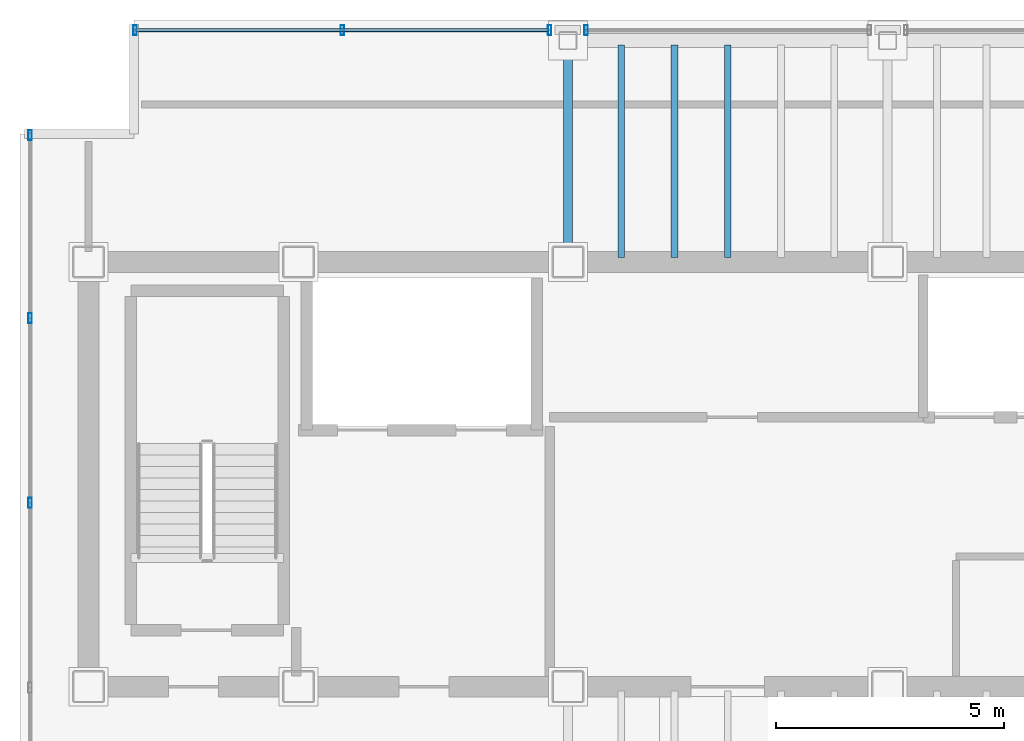
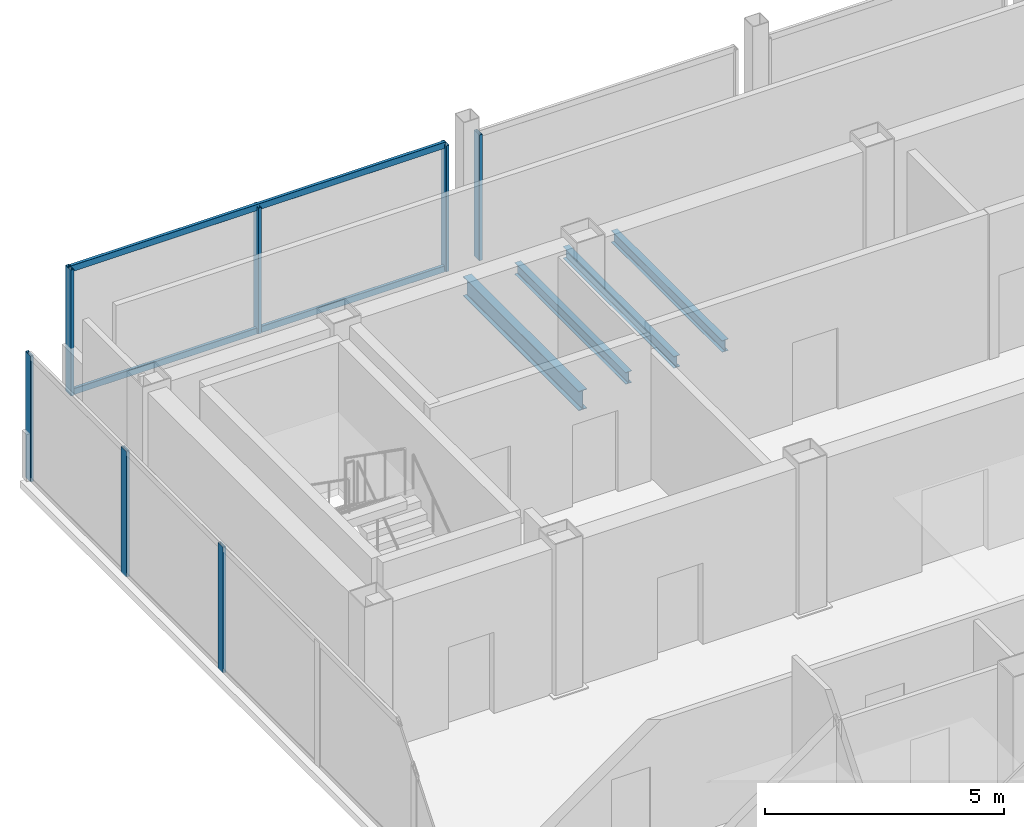
# One storey, part 9 of 17: 9 members, 4 beams, 3 elements without a shape of their own.
"""IFC4 building model written with IfcOpenShell, lengths in metres."""

from ifc_helpers import new_model, si_unit, direction, frame, origin, origin_2d, place, context, subcontext, project, spatial, hollow_rectangle, i_section, extrude, material, material_profile, profile_set, type_object, element, aggregate, save


model = new_model("IFC4")

# Units and contexts
model_context = context("Model", 3, precision=1e-05, world=origin(), true_north=direction((0.0, 1.0)))
body_context = subcontext(model_context, "Body", "Model", "MODEL_VIEW")
ifc_project = project(units=[si_unit("LENGTHUNIT", "METRE"), si_unit("AREAUNIT", "SQUARE_METRE"), si_unit("VOLUMEUNIT", "CUBIC_METRE"), si_unit("PLANEANGLEUNIT", "RADIAN"), si_unit("MASSUNIT", "GRAM", prefix="KILO")], contexts=[model_context])

# Site, building, storey
site_placement = place(None, origin())
site = spatial("IfcSite", under=ifc_project, at=site_placement, CompositionType="ELEMENT")
building_placement = place(site_placement, origin())
building = spatial("IfcBuilding", under=site, at=building_placement, Name="Noeulbin Bourse Tower", CompositionType="ELEMENT")
storey_placement = place(building_placement, frame((0.0, 0.0, 296.89990234375)))
storey = spatial("IfcBuildingStorey", under=building, at=storey_placement, Name="L74", CompositionType="ELEMENT", Elevation=296.89990234375)

# Beams
ifc_material_1 = material(Name="Steel S355", Category="steel")
ifc_material_profile_1 = material_profile(ifc_material_1, i_section(OverallWidth=0.199951171875, OverallDepth=0.5, WebThickness=0.010009765625, FlangeThickness=0.01611328125, FilletRadius=0.02001953125, at=origin_2d()), Name="H-500x200x10x16", Category="LoadBearing")
ifc_profile_set_1 = profile_set([ifc_material_profile_1], Name="Steel S355")
beam_type_1 = type_object("IfcBeamType", Name="BM-GRD-500", PredefinedType="USERDEFINED", material=ifc_profile_set_1)
beam_placement = place(storey_placement, frame((24.0, 38.300048828125, -0.429931640625), z_axis=(0.0, 1.0, 0.0), x_axis=(-1.0, 0.0, 0.0)))
element("IfcBeam", 1, at=beam_placement, inside=storey, type_object=beam_type_1, Name="Tower Primary Girder NS L74-2.4", ObjectType="GIRDER", PredefinedType="USERDEFINED", context=body_context, shape_type="SweptSolid", body=[
    extrude(i_section(OverallWidth=0.199951171875, OverallDepth=0.5, WebThickness=0.010009765625, FlangeThickness=0.01611328125, FilletRadius=0.02001953125, at=origin_2d()), origin(), (0.0, 0.0, 1.0), 4.849853515625),
])
ifc_material_profile_2 = material_profile(ifc_material_1, i_section(OverallWidth=0.14990234375, OverallDepth=0.300048828125, WebThickness=0.006591796875, FlangeThickness=0.009033203125, FilletRadius=0.012939453125, at=origin_2d()), Name="H-300x150x6.5x9", Category="LoadBearing")
ifc_profile_set_2 = profile_set([ifc_material_profile_2], Name="Steel S355")
beam_type_2 = type_object("IfcBeamType", Name="BM-JST-300", PredefinedType="JOIST", material=ifc_profile_set_2)
for number, where, z_axis, x_axis, name in (
    (2, (25.166748046875, 38.39990234375, -0.329833984375), (0.0, 1.0, 0.0), (-1.0, 0.0, 0.0), "Tower Composite Joist L74-02"),
    (3, (26.333251953125, 38.39990234375, -0.329833984375), (0.0, 1.0, 0.0), (-1.0, 0.0, 0.0), "Tower Composite Joist L74-04"),
    (4, (27.5, 38.39990234375, -0.329833984375), (0.0, 1.0, 0.0), (-1.0, 0.0, 0.0), "Tower Composite Joist L74-06"),
):
    element("IfcBeam", number, at=place(storey_placement, frame(where, z_axis=z_axis, x_axis=x_axis)), inside=storey, type_object=beam_type_2, Name=name, PredefinedType="JOIST", context=body_context, shape_type="SweptSolid", body=[
        extrude(i_section(OverallWidth=0.14990234375, OverallDepth=0.300048828125, WebThickness=0.006591796875, FlangeThickness=0.009033203125, FilletRadius=0.012939453125, at=origin_2d()), origin(), (0.0, 0.0, 1.0), 4.650146484375),
    ])

# Curtain wall, members
ifc_material_2 = material(Name="High-Selectivity Low-Iron Glazing", Category="glass")
curtain_wall_type = type_object("IfcCurtainWallType", Name="CW-SYS-4", PredefinedType="NOTDEFINED", material=ifc_material_2)
curtain_wall_1_placement = place(storey_placement, origin())
curtain_wall_1 = element("IfcCurtainWall", 5, at=curtain_wall_1_placement, inside=storey, type_object=curtain_wall_type, Name="Unitised Curtain Wall CW-L74-N-S1", PredefinedType="NOTDEFINED")
ifc_material_3 = material(Name="Anodised Aluminium 6063-T6", Category="aluminium")
ifc_material_profile_3 = material_profile(ifc_material_3, hollow_rectangle(XDim=0.074951171875, YDim=0.219970703125, WallThickness=0.0048828125, InnerFilletRadius=0.00244140625, OuterFilletRadius=0.0048828125, at=origin_2d()), Name="ALU-MULL-75x220x5", Category="LoadBearing")
ifc_profile_set_3 = profile_set([ifc_material_profile_3], Name="Anodised Aluminium 6063-T6")
member_type_1 = type_object("IfcMemberType", Name="CW-SYS-4-MUL", PredefinedType="MULLION", material=ifc_profile_set_3)
member_1_placement = place(storey_placement, frame((14.52001953125, 43.3798828125, -0.02001953125), z_axis=(0.0, 0.0, 1.0), x_axis=(1.0, 0.0, 0.0)))
member_1 = element("IfcMember", 6, at=member_1_placement, type_object=member_type_1, Name="Curtain Wall Mullion CW-L74-N-S1-M00", PredefinedType="MULLION", context=body_context, shape_type="SweptSolid", body=[
    extrude(hollow_rectangle(XDim=0.074951171875, YDim=0.219970703125, WallThickness=0.0048828125, InnerFilletRadius=0.00244140625, OuterFilletRadius=0.0048828125, at=origin_2d()), origin(), (0.0, 0.0, 1.0), 3.22021484375),
])
member_2_placement = place(storey_placement, frame((19.06005859375, 43.3798828125, -0.02001953125), z_axis=(0.0, 0.0, 1.0), x_axis=(1.0, 0.0, 0.0)))
member_2 = element("IfcMember", 7, at=member_2_placement, type_object=member_type_1, Name="Curtain Wall Mullion CW-L74-N-S1-M01", PredefinedType="MULLION", context=body_context, shape_type="SweptSolid", body=[
    extrude(hollow_rectangle(XDim=0.074951171875, YDim=0.219970703125, WallThickness=0.0048828125, InnerFilletRadius=0.00244140625, OuterFilletRadius=0.0048828125, at=origin_2d()), origin(), (0.0, 0.0, 1.0), 3.22021484375),
])
member_3_placement = place(storey_placement, frame((23.60009765625, 43.3798828125, -0.02001953125), z_axis=(0.0, 0.0, 1.0), x_axis=(1.0, 0.0, 0.0)))
member_3 = element("IfcMember", 8, at=member_3_placement, type_object=member_type_1, Name="Curtain Wall Mullion CW-L74-N-S1-M02", PredefinedType="MULLION", context=body_context, shape_type="SweptSolid", body=[
    extrude(hollow_rectangle(XDim=0.074951171875, YDim=0.219970703125, WallThickness=0.0048828125, InnerFilletRadius=0.00244140625, OuterFilletRadius=0.0048828125, at=origin_2d()), origin(), (0.0, 0.0, 1.0), 3.22021484375),
])

# Curtain wall, member
curtain_wall_2_placement = place(storey_placement, origin())
curtain_wall_2 = element("IfcCurtainWall", 9, at=curtain_wall_2_placement, inside=storey, type_object=curtain_wall_type, Name="Unitised Curtain Wall CW-L74-N-S2", PredefinedType="NOTDEFINED")
member_4_placement = place(storey_placement, frame((24.39990234375, 43.3798828125, -0.02001953125), z_axis=(0.0, 0.0, 1.0), x_axis=(1.0, 0.0, 0.0)))
member_4 = element("IfcMember", 10, at=member_4_placement, type_object=member_type_1, Name="Curtain Wall Mullion CW-L74-N-S2-M00", PredefinedType="MULLION", context=body_context, shape_type="SweptSolid", body=[
    extrude(hollow_rectangle(XDim=0.074951171875, YDim=0.219970703125, WallThickness=0.0048828125, InnerFilletRadius=0.00244140625, OuterFilletRadius=0.0048828125, at=origin_2d()), origin(), (0.0, 0.0, 1.0), 3.22021484375),
])
aggregate(curtain_wall_2, [member_4])

# Curtain wall, members
curtain_wall_3_placement = place(storey_placement, origin())
curtain_wall_3 = element("IfcCurtainWall", 11, at=curtain_wall_3_placement, inside=storey, type_object=curtain_wall_type, Name="Unitised Curtain Wall CW-L74-W", PredefinedType="NOTDEFINED")
member_5_placement = place(storey_placement, frame((12.219970703125, 33.02392578125, -0.02001953125), z_axis=(0.0, 0.0, 1.0), x_axis=(1.0, 0.0, 0.0)))
member_5 = element("IfcMember", 12, at=member_5_placement, type_object=member_type_1, Name="Curtain Wall Mullion CW-L74-W-M03", PredefinedType="MULLION", context=body_context, shape_type="SweptSolid", body=[
    extrude(hollow_rectangle(XDim=0.074951171875, YDim=0.219970703125, WallThickness=0.0048828125, InnerFilletRadius=0.00244140625, OuterFilletRadius=0.0048828125, at=origin_2d()), origin(), (0.0, 0.0, 1.0), 3.22021484375),
])
member_6_placement = place(storey_placement, frame((12.219970703125, 37.072021484375, -0.02001953125), z_axis=(0.0, 0.0, 1.0), x_axis=(1.0, 0.0, 0.0)))
member_6 = element("IfcMember", 13, at=member_6_placement, type_object=member_type_1, Name="Curtain Wall Mullion CW-L74-W-M04", PredefinedType="MULLION", context=body_context, shape_type="SweptSolid", body=[
    extrude(hollow_rectangle(XDim=0.074951171875, YDim=0.219970703125, WallThickness=0.0048828125, InnerFilletRadius=0.00244140625, OuterFilletRadius=0.0048828125, at=origin_2d()), origin(), (0.0, 0.0, 1.0), 3.22021484375),
])
member_7_placement = place(storey_placement, frame((12.219970703125, 41.080078125, -0.02001953125), z_axis=(0.0, 0.0, 1.0), x_axis=(1.0, 0.0, 0.0)))
member_7 = element("IfcMember", 14, at=member_7_placement, type_object=member_type_1, Name="Curtain Wall Mullion CW-L74-W-M05", PredefinedType="MULLION", context=body_context, shape_type="SweptSolid", body=[
    extrude(hollow_rectangle(XDim=0.074951171875, YDim=0.219970703125, WallThickness=0.0048828125, InnerFilletRadius=0.00244140625, OuterFilletRadius=0.0048828125, at=origin_2d()), origin(), (0.0, 0.0, 1.0), 3.22021484375),
])
aggregate(curtain_wall_3, [member_5, member_6, member_7])

# Member
ifc_material_profile_4 = material_profile(ifc_material_3, hollow_rectangle(XDim=0.074951171875, YDim=0.159912109375, WallThickness=0.0048828125, InnerFilletRadius=0.00244140625, OuterFilletRadius=0.0048828125, at=origin_2d()), Name="ALU-TRAN-75x160x5", Category="LoadBearing")
ifc_profile_set_4 = profile_set([ifc_material_profile_4], Name="Anodised Aluminium 6063-T6")
member_type_2 = type_object("IfcMemberType", Name="CW-SYS-4-TRN", PredefinedType="USERDEFINED", material=ifc_profile_set_4)
member_8_placement = place(storey_placement, frame((14.530029296875, 43.3798828125, 0.010009765625), z_axis=(1.0, 0.0, 0.0), x_axis=(0.0, 1.0, 0.0)))
member_8 = element("IfcMember", 15, at=member_8_placement, type_object=member_type_2, Name="Curtain Wall Transom CW-L74-N-S1-T00", ObjectType="TRANSOM", PredefinedType="USERDEFINED", context=body_context, shape_type="SweptSolid", body=[
    extrude(hollow_rectangle(XDim=0.074951171875, YDim=0.159912109375, WallThickness=0.0048828125, InnerFilletRadius=0.00244140625, OuterFilletRadius=0.0048828125, at=origin_2d()), origin(), (0.0, 0.0, 1.0), 9.06005859375),
])

member_9_placement = place(storey_placement, frame((14.530029296875, 43.3798828125, 3.170166015625), z_axis=(1.0, 0.0, 0.0), x_axis=(0.0, 1.0, 0.0)))
member_9 = element("IfcMember", 16, at=member_9_placement, type_object=member_type_2, Name="Curtain Wall Transom CW-L74-N-S1-T01", ObjectType="TRANSOM", PredefinedType="USERDEFINED", context=body_context, shape_type="SweptSolid", body=[
    extrude(hollow_rectangle(XDim=0.074951171875, YDim=0.159912109375, WallThickness=0.0048828125, InnerFilletRadius=0.00244140625, OuterFilletRadius=0.0048828125, at=origin_2d()), origin(), (0.0, 0.0, 1.0), 9.06005859375),
])

aggregate(curtain_wall_1, [member_1, member_2, member_3, member_8, member_9])

save(model, "model.ifc")
